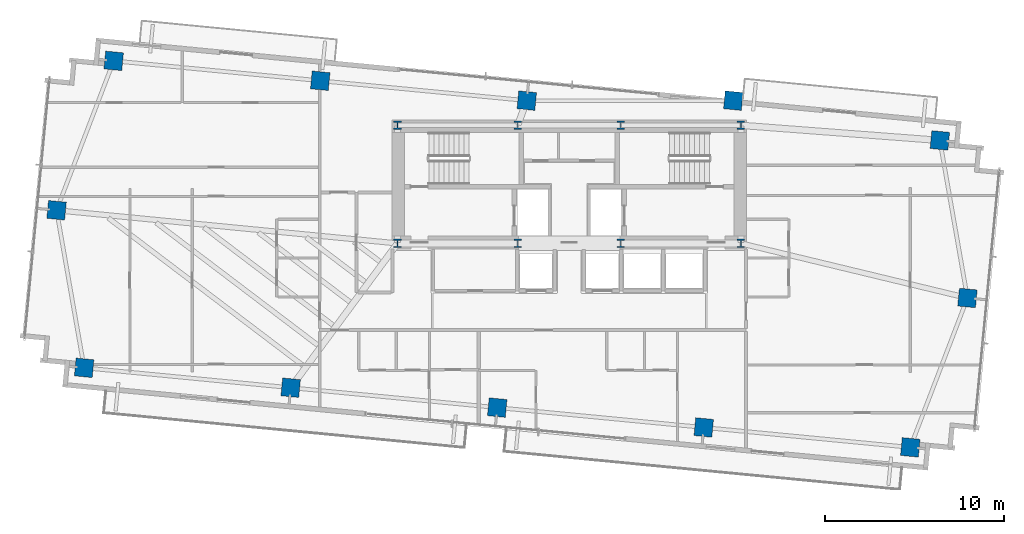
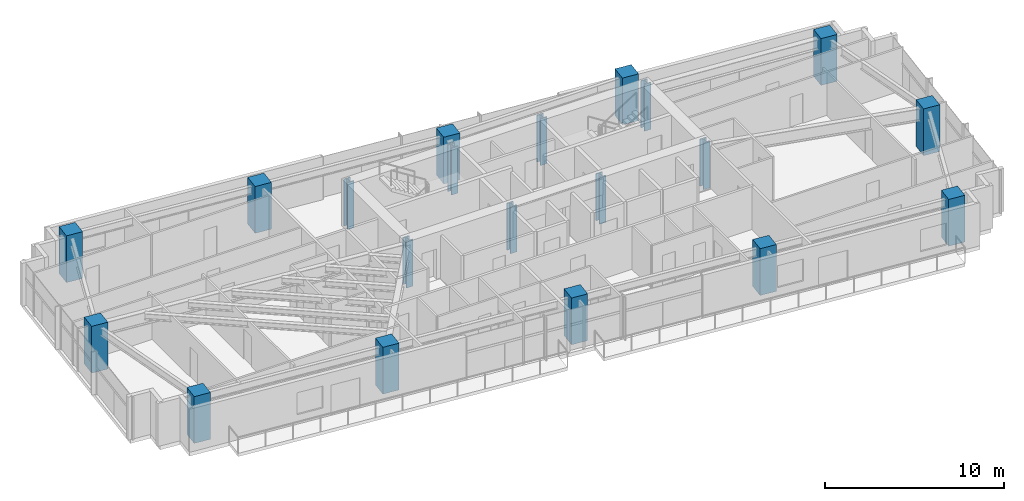
# One storey, part 1 of 20: 20 columns.
"""IFC4 building model written with IfcOpenShell, lengths in metres."""

from ifc_helpers import new_model, si_unit, direction, frame, origin, origin_2d, place, context, subcontext, project, spatial, rectangle, i_section, extrude, source, transform, mapped, material, material_profile, profile_set, type_object, type_shapes, element, save


model = new_model("IFC4")

# Units and contexts
model_context = context("Model", 3, precision=1e-05, world=origin(), true_north=direction((0.0, 1.0)))
body_context = subcontext(model_context, "Body", "Model", "MODEL_VIEW")
ifc_project = project(units=[si_unit("LENGTHUNIT", "METRE"), si_unit("AREAUNIT", "SQUARE_METRE"), si_unit("VOLUMEUNIT", "CUBIC_METRE"), si_unit("PLANEANGLEUNIT", "RADIAN"), si_unit("MASSUNIT", "GRAM", prefix="KILO")], contexts=[model_context])

# Site, building, storey
site_placement = place(None, origin())
site = spatial("IfcSite", under=ifc_project, at=site_placement, CompositionType="ELEMENT")
building_placement = place(site_placement, origin())
building = spatial("IfcBuilding", under=site, at=building_placement, Name="Astriad Promenade Condominiums", CompositionType="ELEMENT")
storey_placement = place(building_placement, frame((0.0, 0.0, 127.800048828125)))
storey = spatial("IfcBuildingStorey", under=building, at=storey_placement, Name="L36", CompositionType="ELEMENT", Elevation=127.800048828125)

# Columns
ifc_material_1 = material(Name="Steel ASTM A992 Grade 50", Category="steel")
ifc_material_profile_1 = material_profile(ifc_material_1, i_section(OverallWidth=0.42138671875, OverallDepth=0.464599609375, WebThickness=0.044921875, FlangeThickness=0.072509765625, FilletRadius=0.017822265625, at=origin_2d()), Name="W14X398")
ifc_profile_set_1 = profile_set([ifc_material_profile_1], Name="Steel ASTM A992 Grade 50")
column_type_1 = type_object("IfcColumnType", Name="STEEL CORE PILASTER W14X398", PredefinedType="PILASTER", material=ifc_profile_set_1)
shared_shape_1 = source(origin(), body_context, "Body", "SweptSolid", [
    extrude(i_section(OverallWidth=0.42138671875, OverallDepth=0.464599609375, WebThickness=0.044921875, FlangeThickness=0.072509765625, FilletRadius=0.017822265625, at=origin_2d()), origin(), (0.0, 0.0, 1.0), 3.196044921875),
])
type_shapes(column_type_1, [shared_shape_1])
for number, where, z_axis, x_axis, name in (
    (1, (26.39990234375, 17.39990234375, 0.001953125), (0.0, 0.0, 1.0), (1.0, 0.0, 0.0), "Core Pilaster Column CP1 (L36)"),
    (2, (33.1201171875, 17.39990234375, 0.001953125), (0.0, 0.0, 1.0), (1.0, 0.0, 0.0), "Core Pilaster Column CP2 (L36)"),
    (3, (38.8798828125, 17.39990234375, 0.001953125), (0.0, 0.0, 1.0), (1.0, 0.0, 0.0), "Core Pilaster Column CP3 (L36)"),
    (4, (45.60009765625, 17.39990234375, 0.001953125), (0.0, 0.0, 1.0), (1.0, 0.0, 0.0), "Core Pilaster Column CP4 (L36)"),
    (5, (26.39990234375, 24.0, 0.001953125), (0.0, 0.0, 1.0), (1.0, 0.0, 0.0), "Core Pilaster Column CP5 (L36)"),
    (6, (33.1201171875, 24.0, 0.001953125), (0.0, 0.0, 1.0), (1.0, 0.0, 0.0), "Core Pilaster Column CP6 (L36)"),
    (7, (38.8798828125, 24.0, 0.001953125), (0.0, 0.0, 1.0), (1.0, 0.0, 0.0), "Core Pilaster Column CP7 (L36)"),
    (8, (45.60009765625, 24.0, 0.001953125), (0.0, 0.0, 1.0), (1.0, 0.0, 0.0), "Core Pilaster Column CP8 (L36)"),
):
    element("IfcColumn", number, at=place(storey_placement, frame(where, z_axis=z_axis, x_axis=x_axis)), inside=storey, type_object=column_type_1, Name=name, PredefinedType="PILASTER", context=body_context, shape_type="MappedRepresentation", body=[
        mapped(shared_shape_1, transform((0.0, 0.0, 0.0), scale=1.0)),
    ])
ifc_material_2 = material(Name="Concrete C60/75", Category="concrete")
ifc_material_profile_2 = material_profile(ifc_material_2, rectangle(XDim=1.0, YDim=1.0, at=origin_2d()), Name="RC-COL-1000X1000")
ifc_profile_set_2 = profile_set([ifc_material_profile_2], Name="Concrete C60/75")
column_type_2 = type_object("IfcColumnType", Name="CONCRETE TOWER COLUMN 1000X1000", PredefinedType="COLUMN", material=ifc_profile_set_2)
shared_shape_2 = source(origin(), body_context, "Body", "SweptSolid", [
    extrude(rectangle(XDim=1.0, YDim=1.0, at=origin_2d()), origin(), (0.0, 0.0, 1.0), 3.196044921875),
])
type_shapes(column_type_2, [shared_shape_2])
for number, where, z_axis, x_axis, name in (
    (9, (8.880615234375, 10.443359375, 0.001953125), (0.0, 0.0, 1.0), (0.995396198367, -0.09584575252, 0.0), "Perimeter Column PC01 (L36)"),
    (10, (20.42724609375, 9.33154296875, 0.001953125), (0.0, 0.0, 1.0), (0.995396198367, -0.09584575252, 0.0), "Perimeter Column PC02 (L36)"),
    (11, (31.973876953125, 8.2197265625, 0.001953125), (0.0, 0.0, 1.0), (0.995396198367, -0.09584575252, 0.0), "Perimeter Column PC03 (L36)"),
    (12, (43.5205078125, 7.10791015625, 0.001953125), (0.0, 0.0, 1.0), (0.995396198367, -0.09584575252, 0.0), "Perimeter Column PC04 (L36)"),
    (13, (55.06689453125, 5.99609375, 0.001953125), (0.0, 0.0, 1.0), (0.995396198367, -0.09584575252, 0.0), "Perimeter Column PC05 (L36)"),
    (14, (10.532958984375, 27.60400390625, 0.001953125), (0.0, 0.0, 1.0), (0.995396198367, -0.09584575252, 0.0), "Perimeter Column PC06 (L36)"),
    (15, (22.07958984375, 26.4921875, 0.001953125), (0.0, 0.0, 1.0), (0.995396198367, -0.09584575252, 0.0), "Perimeter Column PC07 (L36)"),
    (16, (33.626220703125, 25.38037109375, 0.001953125), (0.0, 0.0, 1.0), (0.995396198367, -0.09584575252, 0.0), "Perimeter Column PC08 (L36)"),
    (17, (45.1728515625, 25.3798828125, 0.001953125), (0.0, 0.0, 1.0), (0.995396198367, -0.09584575252, 0.0), "Perimeter Column PC09 (L36)"),
    (18, (56.719482421875, 23.15673828125, 0.001953125), (0.0, 0.0, 1.0), (0.995396198367, -0.09584575252, 0.0), "Perimeter Column PC10 (L36)"),
    (19, (7.337890625, 19.251708984375, 0.001953125), (0.0, 0.0, 1.0), (0.995396198367, -0.09584575252, 0.0), "Perimeter Column PC11 (L36)"),
    (20, (58.26220703125, 14.348388671875, 0.001953125), (0.0, 0.0, 1.0), (0.995396198367, -0.09584575252, 0.0), "Perimeter Column PC12 (L36)"),
):
    element("IfcColumn", number, at=place(storey_placement, frame(where, z_axis=z_axis, x_axis=x_axis)), inside=storey, type_object=column_type_2, Name=name, PredefinedType="COLUMN", context=body_context, shape_type="MappedRepresentation", body=[
        mapped(shared_shape_2, transform((0.0, 0.0, 0.0), scale=1.0)),
    ])

save(model, "model.ifc")
